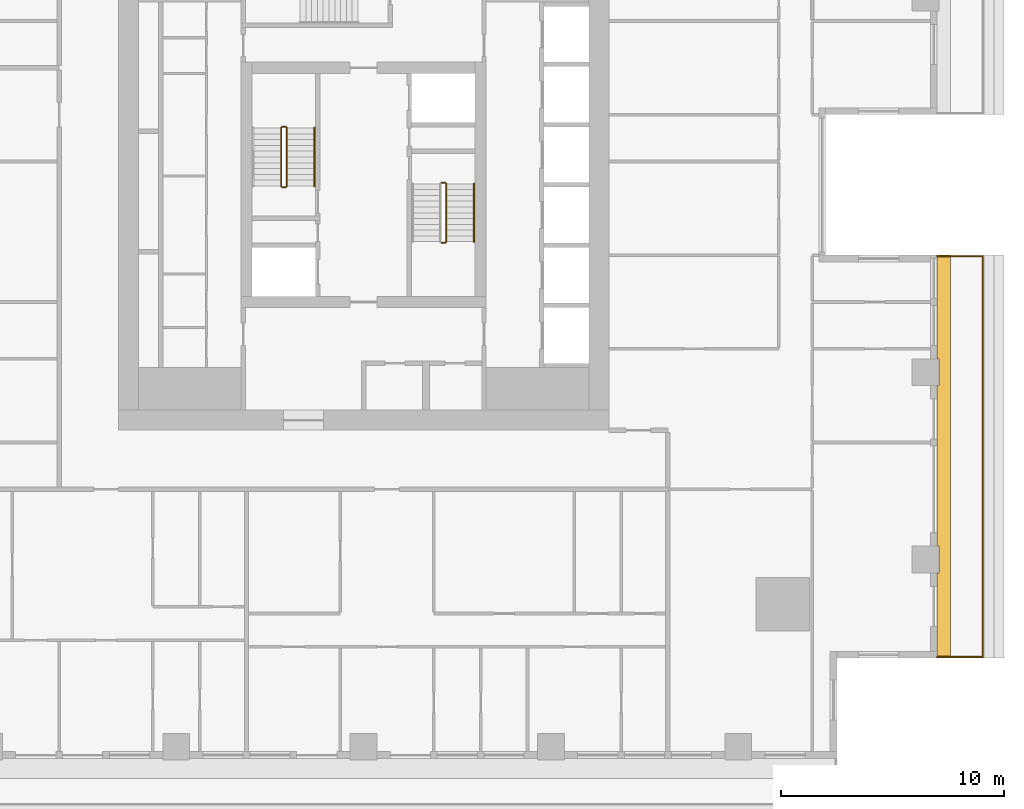
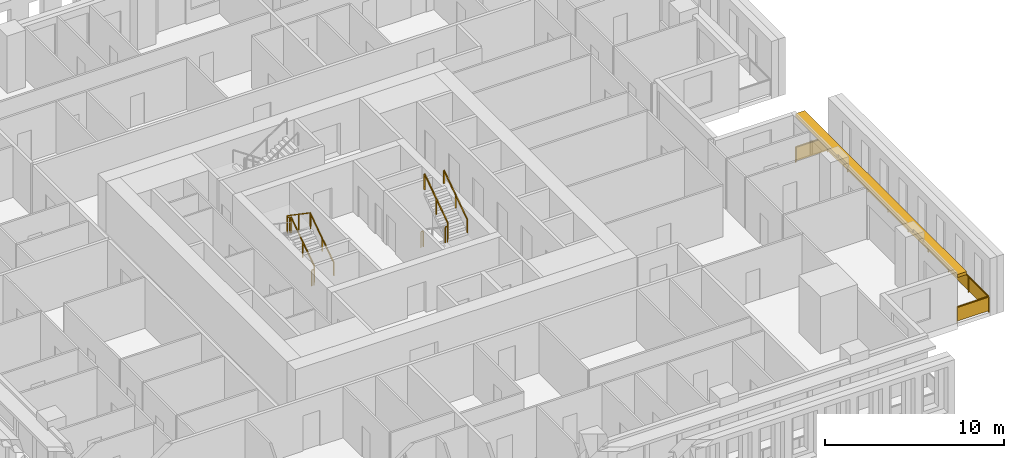
# One storey, part 13 of 16: 10 railings, 1 shading device.
"""IFC4 building model written with IfcOpenShell, lengths in metres."""

from ifc_helpers import new_model, si_unit, direction, frame, origin, origin_2d, place, context, subcontext, project, spatial, polyline, rectangle, outline, extrude, material, layer, layer_set, type_object, element, save


model = new_model("IFC4")

# Units and contexts
model_context = context("Model", 3, precision=1e-05, world=origin(), true_north=direction((0.0, 1.0)))
body_context = subcontext(model_context, "Body", "Model", "MODEL_VIEW")
ifc_project = project(units=[si_unit("LENGTHUNIT", "METRE"), si_unit("AREAUNIT", "SQUARE_METRE"), si_unit("VOLUMEUNIT", "CUBIC_METRE"), si_unit("PLANEANGLEUNIT", "RADIAN"), si_unit("MASSUNIT", "GRAM", prefix="KILO")], contexts=[model_context])

# Site, building, storey
site_placement = place(None, origin())
site = spatial("IfcSite", under=ifc_project, at=site_placement, CompositionType="ELEMENT")
building_placement = place(site_placement, origin())
building = spatial("IfcBuilding", under=site, at=building_placement, Name="Khepri Terraces", CompositionType="ELEMENT")
storey_placement = place(building_placement, frame((0.0, 0.0, 192.300048828125)))
storey = spatial("IfcBuildingStorey", under=building, at=storey_placement, Name="L45", CompositionType="ELEMENT", Elevation=192.300048828125)

# Railings
ifc_material_1 = material(Name="Stainless steel grade 316", Category="steel")
railing_type_1 = type_object("IfcRailingType", Name="GRD-BAL-1100", PredefinedType="GUARDRAIL", material=ifc_material_1)
railing_1_placement = place(storey_placement, frame((25.719970703125, -21.169921875, 0.0)))
element("IfcRailing", 1, at=railing_1_placement, inside=storey, type_object=railing_type_1, Name="Balcony guard L45 E", PredefinedType="GUARDRAIL", context=body_context, shape_type="SweptSolid", body=[
    extrude(rectangle(XDim=0.050048828125, YDim=0.06005859375, at=origin_2d()), frame((0.0, 0.0, 1.070068359375), z_axis=(1.0, 0.0, 0.0), x_axis=(0.0, 1.0, 0.0)), (0.0, 0.0, 1.0), 2.050048828125),
    extrude(rectangle(XDim=2.0, YDim=0.011962890625, at=origin_2d()), frame((1.02490234375, 0.0, 0.10009765625), z_axis=(0.0, 0.0, 1.0), x_axis=(1.0, 0.0, 0.0)), (0.0, 0.0, 1.0), 0.93994140625),
    extrude(rectangle(XDim=0.050048828125, YDim=0.06005859375, at=origin_2d()), frame((2.050048828125, 0.0, 1.070068359375), z_axis=(0.0, 1.0, 0.0), x_axis=(-1.0, 0.0, 0.0)), (0.0, 0.0, 1.0), 17.969970703125),
    extrude(rectangle(XDim=2.1962890625, YDim=0.011962890625, at=origin_2d()), frame((2.050048828125, 1.123046875, 0.10009765625), z_axis=(0.0, 0.0, 1.0), x_axis=(0.0, 1.0, 0.0)), (0.0, 0.0, 1.0), 0.93994140625),
    extrude(rectangle(XDim=2.1962890625, YDim=0.011962890625, at=origin_2d()), frame((2.050048828125, 3.369384765625, 0.10009765625), z_axis=(0.0, 0.0, 1.0), x_axis=(0.0, 1.0, 0.0)), (0.0, 0.0, 1.0), 0.93994140625),
    extrude(rectangle(XDim=2.1962890625, YDim=0.011962890625, at=origin_2d()), frame((2.050048828125, 5.61572265625, 0.10009765625), z_axis=(0.0, 0.0, 1.0), x_axis=(0.0, 1.0, 0.0)), (0.0, 0.0, 1.0), 0.93994140625),
    extrude(rectangle(XDim=2.1962890625, YDim=0.011962890625, at=origin_2d()), frame((2.050048828125, 7.86181640625, 0.10009765625), z_axis=(0.0, 0.0, 1.0), x_axis=(0.0, 1.0, 0.0)), (0.0, 0.0, 1.0), 0.93994140625),
    extrude(rectangle(XDim=2.1962890625, YDim=0.011962890625, at=origin_2d()), frame((2.050048828125, 10.108154296875, 0.10009765625), z_axis=(0.0, 0.0, 1.0), x_axis=(0.0, 1.0, 0.0)), (0.0, 0.0, 1.0), 0.93994140625),
    extrude(rectangle(XDim=2.1962890625, YDim=0.011962890625, at=origin_2d()), frame((2.050048828125, 12.354248046875, 0.10009765625), z_axis=(0.0, 0.0, 1.0), x_axis=(0.0, 1.0, 0.0)), (0.0, 0.0, 1.0), 0.93994140625),
    extrude(rectangle(XDim=2.1962890625, YDim=0.011962890625, at=origin_2d()), frame((2.050048828125, 14.6005859375, 0.10009765625), z_axis=(0.0, 0.0, 1.0), x_axis=(0.0, 1.0, 0.0)), (0.0, 0.0, 1.0), 0.93994140625),
    extrude(rectangle(XDim=2.1962890625, YDim=0.011962890625, at=origin_2d()), frame((2.050048828125, 16.846923828125, 0.10009765625), z_axis=(0.0, 0.0, 1.0), x_axis=(0.0, 1.0, 0.0)), (0.0, 0.0, 1.0), 0.93994140625),
    extrude(rectangle(XDim=0.050048828125, YDim=0.06005859375, at=origin_2d()), frame((2.050048828125, 17.969970703125, 1.070068359375), z_axis=(-1.0, 0.0, 0.0), x_axis=(0.0, -1.0, 0.0)), (0.0, 0.0, 1.0), 2.050048828125),
    extrude(rectangle(XDim=2.0, YDim=0.011962890625, at=origin_2d()), frame((1.02490234375, 17.969970703125, 0.10009765625), z_axis=(0.0, 0.0, 1.0), x_axis=(-1.0, 0.0, 0.0)), (0.0, 0.0, 1.0), 0.93994140625),
    extrude(rectangle(XDim=0.050048828125, YDim=0.050048828125, at=origin_2d()), origin(), (0.0, 0.0, 1.0), 1.0400390625),
    extrude(rectangle(XDim=0.050048828125, YDim=0.050048828125, at=origin_2d()), frame((2.050048828125, 0.0, 0.0)), (0.0, 0.0, 1.0), 1.0400390625),
    extrude(rectangle(XDim=0.050048828125, YDim=0.050048828125, at=origin_2d()), frame((2.050048828125, 2.246337890625, 0.0)), (0.0, 0.0, 1.0), 1.0400390625),
    extrude(rectangle(XDim=0.050048828125, YDim=0.050048828125, at=origin_2d()), frame((2.050048828125, 4.492431640625, 0.0)), (0.0, 0.0, 1.0), 1.0400390625),
    extrude(rectangle(XDim=0.050048828125, YDim=0.050048828125, at=origin_2d()), frame((2.050048828125, 6.73876953125, 0.0)), (0.0, 0.0, 1.0), 1.0400390625),
    extrude(rectangle(XDim=0.050048828125, YDim=0.050048828125, at=origin_2d()), frame((2.050048828125, 8.98486328125, 0.0)), (0.0, 0.0, 1.0), 1.0400390625),
    extrude(rectangle(XDim=0.050048828125, YDim=0.050048828125, at=origin_2d()), frame((2.050048828125, 11.231201171875, 0.0)), (0.0, 0.0, 1.0), 1.0400390625),
    extrude(rectangle(XDim=0.050048828125, YDim=0.050048828125, at=origin_2d()), frame((2.050048828125, 13.4775390625, 0.0)), (0.0, 0.0, 1.0), 1.0400390625),
    extrude(rectangle(XDim=0.050048828125, YDim=0.050048828125, at=origin_2d()), frame((2.050048828125, 15.7236328125, 0.0)), (0.0, 0.0, 1.0), 1.0400390625),
    extrude(rectangle(XDim=0.050048828125, YDim=0.050048828125, at=origin_2d()), frame((2.050048828125, 17.969970703125, 0.0)), (0.0, 0.0, 1.0), 1.0400390625),
    extrude(rectangle(XDim=0.050048828125, YDim=0.050048828125, at=origin_2d()), frame((0.0, 17.969970703125, 0.0)), (0.0, 0.0, 1.0), 1.0400390625),
])
ifc_material_2 = material(Name="Stainless steel 316", Category="steel")
railing_type_2 = type_object("IfcRailingType", Name="RL-CORE-GUARD", PredefinedType="GUARDRAIL", material=ifc_material_2)
railing_2_placement = place(storey_placement, frame((-3.449951171875, -0.050048828125, 0.17724609375)))
element("IfcRailing", 2, at=railing_2_placement, inside=storey, type_object=railing_type_2, Name="L45 ST-1 stair guard 1", PredefinedType="GUARDRAIL", context=body_context, shape_type="SweptSolid", body=[
    extrude(rectangle(XDim=0.050048828125, YDim=0.06005859375, at=origin_2d()), frame((0.0, 0.0, 1.070068359375), z_axis=(0.0, 0.826240473404, 0.563317565952), x_axis=(-1.0, 0.0, 0.0)), (0.0, 0.0, 1.0), 3.14697265625),
    extrude(rectangle(XDim=0.050048828125, YDim=0.050048828125, at=origin_2d()), origin(), (0.0, 0.0, 1.0), 1.0400390625),
    extrude(rectangle(XDim=0.050048828125, YDim=0.050048828125, at=origin_2d()), frame((0.0, 1.300048828125, 0.88623046875)), (0.0, 0.0, 1.0), 1.0400390625),
    extrude(rectangle(XDim=0.050048828125, YDim=0.050048828125, at=origin_2d()), frame((0.0, 2.60009765625, 1.772705078125)), (0.0, 0.0, 1.0), 1.0400390625),
])
railing_3_placement = place(storey_placement, frame((-3.5, 2.60009765625, 1.949951171875)))
element("IfcRailing", 3, at=railing_3_placement, inside=storey, type_object=railing_type_2, Name="L45 ST-1 stair guard 2", PredefinedType="GUARDRAIL", context=body_context, shape_type="SweptSolid", body=[
    extrude(rectangle(XDim=0.050048828125, YDim=0.06005859375, at=origin_2d()), frame((0.0, 0.0, 1.070068359375), z_axis=(-1.0, 0.0, 0.0), x_axis=(0.0, -1.0, 0.0)), (0.0, 0.0, 1.0), 0.14990234375),
    extrude(rectangle(XDim=0.050048828125, YDim=0.050048828125, at=origin_2d()), origin(), (0.0, 0.0, 1.0), 1.0400390625),
    extrude(rectangle(XDim=0.050048828125, YDim=0.050048828125, at=origin_2d()), frame((-0.14990234375, 0.0, 0.0)), (0.0, 0.0, 1.0), 1.0400390625),
])
railing_4_placement = place(storey_placement, frame((-3.699951171875, 2.550048828125, 2.127197265625)))
element("IfcRailing", 4, at=railing_4_placement, inside=storey, type_object=railing_type_2, Name="L45 ST-1 stair guard 3", PredefinedType="GUARDRAIL", context=body_context, shape_type="SweptSolid", body=[
    extrude(rectangle(XDim=0.050048828125, YDim=0.06005859375, at=origin_2d()), frame((0.0, 0.0, 1.070068359375), z_axis=(0.0, -0.826240473404, 0.563317565952), x_axis=(1.0, 0.0, 0.0)), (0.0, 0.0, 1.0), 3.14697265625),
    extrude(rectangle(XDim=0.050048828125, YDim=0.050048828125, at=origin_2d()), origin(), (0.0, 0.0, 1.0), 1.0400390625),
    extrude(rectangle(XDim=0.050048828125, YDim=0.050048828125, at=origin_2d()), frame((0.0, -1.300048828125, 0.88623046875)), (0.0, 0.0, 1.0), 1.0400390625),
    extrude(rectangle(XDim=0.050048828125, YDim=0.050048828125, at=origin_2d()), frame((0.0, -2.60009765625, 1.772705078125)), (0.0, 0.0, 1.0), 1.0400390625),
])
railing_5_placement = place(storey_placement, frame((-3.5, -0.10009765625, 0.0)))
element("IfcRailing", 5, at=railing_5_placement, inside=storey, type_object=railing_type_2, Name="L45 ST-1 stair guard 4", PredefinedType="GUARDRAIL", context=body_context, shape_type="SweptSolid", body=[
    extrude(rectangle(XDim=0.050048828125, YDim=0.06005859375, at=origin_2d()), frame((0.0, 0.0, 1.070068359375), z_axis=(-1.0, 0.0, 0.0), x_axis=(0.0, -1.0, 0.0)), (0.0, 0.0, 1.0), 0.14990234375),
    extrude(rectangle(XDim=0.050048828125, YDim=0.050048828125, at=origin_2d()), origin(), (0.0, 0.0, 1.0), 1.0400390625),
    extrude(rectangle(XDim=0.050048828125, YDim=0.050048828125, at=origin_2d()), frame((-0.14990234375, 0.0, 0.0)), (0.0, 0.0, 1.0), 1.0400390625),
])
railing_6_placement = place(storey_placement, frame((3.5, -2.60009765625, 1.949951171875)))
element("IfcRailing", 6, at=railing_6_placement, inside=storey, type_object=railing_type_2, Name="L45 ST-2 stair guard 2", PredefinedType="GUARDRAIL", context=body_context, shape_type="SweptSolid", body=[
    extrude(rectangle(XDim=0.050048828125, YDim=0.06005859375, at=origin_2d()), frame((0.0, 0.0, 1.070068359375), z_axis=(1.0, 0.0, 0.0), x_axis=(0.0, 1.0, 0.0)), (0.0, 0.0, 1.0), 0.14990234375),
    extrude(rectangle(XDim=0.050048828125, YDim=0.050048828125, at=origin_2d()), origin(), (0.0, 0.0, 1.0), 1.0400390625),
    extrude(rectangle(XDim=0.050048828125, YDim=0.050048828125, at=origin_2d()), frame((0.14990234375, 0.0, 0.0)), (0.0, 0.0, 1.0), 1.0400390625),
])
railing_7_placement = place(storey_placement, frame((3.699951171875, -2.550048828125, 2.127197265625)))
element("IfcRailing", 7, at=railing_7_placement, inside=storey, type_object=railing_type_2, Name="L45 ST-2 stair guard 3", PredefinedType="GUARDRAIL", context=body_context, shape_type="SweptSolid", body=[
    extrude(rectangle(XDim=0.050048828125, YDim=0.06005859375, at=origin_2d()), frame((0.0, 0.0, 1.070068359375), z_axis=(0.0, 0.826240473404, 0.563317565952), x_axis=(-1.0, 0.0, 0.0)), (0.0, 0.0, 1.0), 3.14697265625),
    extrude(rectangle(XDim=0.050048828125, YDim=0.050048828125, at=origin_2d()), origin(), (0.0, 0.0, 1.0), 1.0400390625),
    extrude(rectangle(XDim=0.050048828125, YDim=0.050048828125, at=origin_2d()), frame((0.0, 1.300048828125, 0.88623046875)), (0.0, 0.0, 1.0), 1.0400390625),
    extrude(rectangle(XDim=0.050048828125, YDim=0.050048828125, at=origin_2d()), frame((0.0, 2.60009765625, 1.772705078125)), (0.0, 0.0, 1.0), 1.0400390625),
])
railing_8_placement = place(storey_placement, frame((3.5, 0.10009765625, 0.0)))
element("IfcRailing", 8, at=railing_8_placement, inside=storey, type_object=railing_type_2, Name="L45 ST-2 stair guard 4", PredefinedType="GUARDRAIL", context=body_context, shape_type="SweptSolid", body=[
    extrude(rectangle(XDim=0.050048828125, YDim=0.06005859375, at=origin_2d()), frame((0.0, 0.0, 1.070068359375), z_axis=(1.0, 0.0, 0.0), x_axis=(0.0, 1.0, 0.0)), (0.0, 0.0, 1.0), 0.14990234375),
    extrude(rectangle(XDim=0.050048828125, YDim=0.050048828125, at=origin_2d()), origin(), (0.0, 0.0, 1.0), 1.0400390625),
    extrude(rectangle(XDim=0.050048828125, YDim=0.050048828125, at=origin_2d()), frame((0.14990234375, 0.0, 0.0)), (0.0, 0.0, 1.0), 1.0400390625),
])
railing_type_3 = type_object("IfcRailingType", Name="RL-CORE-HANDRAIL", PredefinedType="HANDRAIL", material=ifc_material_2)
for number, where, name in (
    (9, (-2.199951171875, -0.050048828125, 0.17724609375), "L45 ST-1 stair handrail 1"),
    (10, (4.949951171875, -2.550048828125, 2.127197265625), "L45 ST-2 stair handrail 2"),
):
    element("IfcRailing", number, at=place(storey_placement, frame(where)), inside=storey, type_object=railing_type_3, Name=name, PredefinedType="HANDRAIL", context=body_context, shape_type="SweptSolid", body=[
        extrude(rectangle(XDim=0.050048828125, YDim=0.050048828125, at=origin_2d()), frame((0.0, 0.0, 0.875), z_axis=(0.0, 0.826240473404, 0.563317565952), x_axis=(-1.0, 0.0, 0.0)), (0.0, 0.0, 1.0), 3.14697265625),
        extrude(rectangle(XDim=0.050048828125, YDim=0.050048828125, at=origin_2d()), origin(), (0.0, 0.0, 1.0), 0.849853515625),
        extrude(rectangle(XDim=0.050048828125, YDim=0.050048828125, at=origin_2d()), frame((0.0, 1.300048828125, 0.88623046875)), (0.0, 0.0, 1.0), 0.849853515625),
        extrude(rectangle(XDim=0.050048828125, YDim=0.050048828125, at=origin_2d()), frame((0.0, 2.60009765625, 1.772705078125)), (0.0, 0.0, 1.0), 0.849853515625),
    ])

# Shading device
ifc_material_3 = material(Name="Precast concrete C50/60 warm stone", Category="masonry")
ifc_layer = layer(ifc_material_3, 0.199951171875, Name="Precast concrete C50/60 warm stone", Category="masonry")
ifc_layer_set = layer_set([ifc_layer], Name="Precast concrete C50/60 warm stone")
shading_device_type = type_object("IfcShadingDeviceType", Name="SSH-BAND-STONE-200-N", PredefinedType="USERDEFINED", material=ifc_layer_set)
shading_device_placement = place(storey_placement, frame((0.0, 0.0, 3.099853515625)))
element("IfcShadingDevice", 11, at=shading_device_placement, inside=storey, type_object=shading_device_type, Name="Sunshade band L45 E", ObjectType="SUNSHADE", PredefinedType="USERDEFINED", context=body_context, shape_type="SweptSolid", body=[
    extrude(outline(polyline([(25.719970703125, -17.39990234375), (25.719970703125, -21.219970703125), (26.320068359375, -21.219970703125), (26.320068359375, -3.14990234375), (25.719970703125, -3.14990234375), (25.719970703125, -7.800048828125), (25.800048828125, -7.800048828125), (25.800048828125, -9.0), (25.719970703125, -9.0), (25.719970703125, -16.199951171875), (25.800048828125, -16.199951171875), (25.800048828125, -17.39990234375), (25.719970703125, -17.39990234375)])), origin(), (0.0, 0.0, 1.0), 0.2001953125),
])

save(model, "model.ifc")
